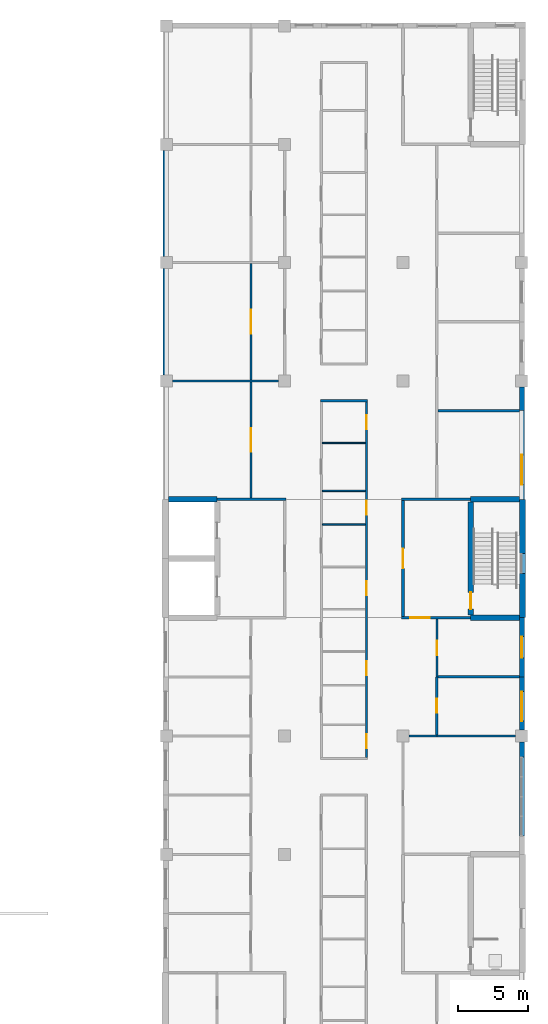
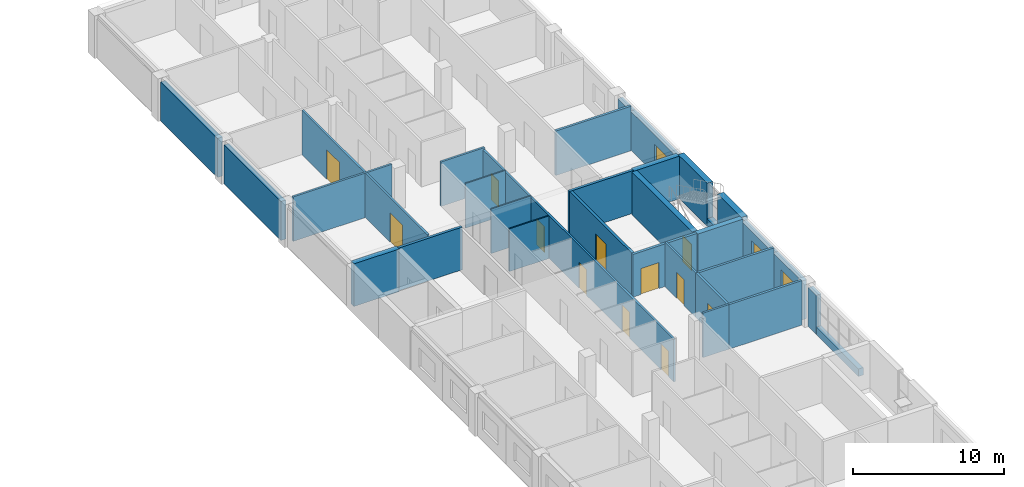
# One storey, part 76 of 94: 33 walls, 12 doors, 3 windows, 15 openings.
"""IFC4 building model written with IfcOpenShell, lengths in metres."""

from ifc_helpers import new_model, si_unit, direction, frame, frame_2d, origin, place, context, subcontext, project, spatial, rectangle, extrude, material, layer, layer_set, type_object, element, fill, save


model = new_model("IFC4")

# Units and contexts
model_context = context("Model", 3, precision=1e-05, world=origin(), true_north=direction((0.0, 1.0)))
body_context = subcontext(model_context, "Body", "Model", "MODEL_VIEW")
ifc_project = project(units=[si_unit("LENGTHUNIT", "METRE"), si_unit("AREAUNIT", "SQUARE_METRE"), si_unit("VOLUMEUNIT", "CUBIC_METRE"), si_unit("PLANEANGLEUNIT", "RADIAN"), si_unit("MASSUNIT", "GRAM", prefix="KILO")], contexts=[model_context])

# Site, building, storey
site_placement = place(None, origin())
site = spatial("IfcSite", under=ifc_project, at=site_placement, CompositionType="ELEMENT")
building_placement = place(site_placement, origin())
building = spatial("IfcBuilding", under=site, at=building_placement, Name="Yavir Park General Hospital", CompositionType="ELEMENT")
storey_placement = place(building_placement, frame((0.0, 0.0, 4.5)))
storey = spatial("IfcBuildingStorey", under=building, at=storey_placement, Name="L01", CompositionType="ELEMENT", Elevation=4.5)

# Walls
ifc_material_1 = material(Name="Double-leaf gypsum board acoustic partition on staggered studs")
ifc_layer_1 = layer(ifc_material_1, 0.175048828125)
ifc_layer_set_1 = layer_set([ifc_layer_1], Name="Double-leaf gypsum board acoustic partition on staggered studs")
wall_type_1 = type_object("IfcWallType", Name="Acoustic partition 175", PredefinedType="PARTITIONING", material=ifc_layer_set_1)
wall_1_placement = place(storey_placement, frame((162.0, 67.199951171875, 0.0), z_axis=(0.0, 0.0, 1.0), x_axis=(1.0, 0.0, 0.0)))
element("IfcWall", 1, at=wall_1_placement, inside=storey, type_object=wall_type_1, Name="AP175 L01-196", PredefinedType="PARTITIONING", context=body_context, shape_type="SweptSolid", body=[
    extrude(rectangle(XDim=5.574951171875, YDim=0.175048828125, at=frame_2d((2.78759765625, 0.0))), origin(), (0.0, 0.0, 1.0), 3.60009765625),
])
for number, where, z_axis, x_axis, name in (
    (2, (162.08740234375, 71.39990234375, 0.0), (0.0, 0.0, 1.0), (1.0, 0.0, 0.0), "AP175 L01-203"),
    (3, (162.08740234375, 90.300048828125, 0.0), (0.0, 0.0, 1.0), (1.0, 0.0, 0.0), "AP175 L01-236"),
):
    element("IfcWall", number, at=place(storey_placement, frame(where, z_axis=z_axis, x_axis=x_axis)), inside=storey, type_object=wall_type_1, Name=name, PredefinedType="PARTITIONING", context=body_context, shape_type="SweptSolid", body=[
        extrude(rectangle(XDim=5.7626953125, YDim=0.175048828125, at=frame_2d((2.88134765625, 0.0))), origin(), (0.0, 0.0, 1.0), 3.60009765625),
    ])

# Wall, opening, door
wall_2_placement = place(storey_placement, frame((162.0, 67.28759765625, 0.0), z_axis=(0.0, 0.0, 1.0), x_axis=(0.0, 1.0, 0.0)))
wall_2 = element("IfcWall", 4, at=wall_2_placement, inside=storey, type_object=wall_type_1, Name="AP175 L01-503", PredefinedType="PARTITIONING", context=body_context, shape_type="SweptSolid", body=[
    extrude(rectangle(XDim=4.1123046875, YDim=0.175048828125, at=frame_2d((2.05615234375, 0.0))), origin(), (0.0, 0.0, 1.0), 3.60009765625),
])
opening_1_placement = place(wall_2_placement, frame((1.55615234375, 0.0, 0.0)))
opening_1 = element("IfcOpeningElement", 5, at=opening_1_placement, cuts=wall_2, Name="Opening L01.D302", PredefinedType="OPENING", context=body_context, shape_type="SweptSolid", body=[
    extrude(rectangle(XDim=1.0, YDim=2.10009765625, at=frame_2d((0.5, 1.050048828125))), frame((0.0, 0.097412109375, 0.0), z_axis=(0.0, -1.0, 0.0), x_axis=(1.0, 0.0, 0.0)), (0.0, 0.0, 1.0), 0.195068359375),
])
ifc_material_2 = material(Name="Sealed solid-core acoustic door leaf, Rw 42 dB")
door_type_1 = type_object("IfcDoorType", Name="Acoustic door 1000 x 2100", OperationType="SINGLE_SWING_LEFT", PredefinedType="DOOR", material=ifc_material_2)
door_1_placement = place(opening_1_placement, origin())
door_1 = element("IfcDoor", 6, at=door_1_placement, inside=storey, type_object=door_type_1, Name="L01.D302", OperationType="SINGLE_SWING_RIGHT", OverallHeight=2.10009765625, OverallWidth=1.0, PredefinedType="DOOR", context=body_context, shape_type="SweptSolid", body=[
    extrude(rectangle(XDim=1.0, YDim=2.10009765625, at=frame_2d((0.5, 1.050048828125))), frame((0.0, 0.03515625, 0.0), z_axis=(0.0, -1.0, 0.0), x_axis=(1.0, 0.0, 0.0)), (0.0, 0.0, 1.0), 0.070068359375),
])
fill(opening_1, door_1)

ifc_material_3 = material(Name="Double gypsum board fire partition on steel studs", Category="steel")
ifc_layer_2 = layer(ifc_material_3, 0.199951171875)
ifc_layer_set_2 = layer_set([ifc_layer_2], Name="Double gypsum board fire partition on steel studs")
wall_type_2 = type_object("IfcWallType", Name="Fire-rated partition 200, EI 60", PredefinedType="PARTITIONING", material=ifc_layer_set_2)
wall_3_placement = place(storey_placement, frame((159.5, 75.60009765625, 0.0), z_axis=(0.0, 0.0, 1.0), x_axis=(1.0, 0.0, 0.0)))
wall_3 = element("IfcWall", 7, at=wall_3_placement, inside=storey, type_object=wall_type_2, Name="FP20 L01-216", PredefinedType="PARTITIONING", context=body_context, shape_type="SweptSolid", body=[
    extrude(rectangle(XDim=4.89990234375, YDim=0.199951171875, at=frame_2d((2.449951171875, 0.0))), origin(), (0.0, 0.0, 1.0), 3.449951171875),
])
opening_2_placement = place(wall_3_placement, frame((0.60009765625, 0.0, 0.0)))
opening_2 = element("IfcOpeningElement", 8, at=opening_2_placement, cuts=wall_3, Name="Opening L01.D163", PredefinedType="OPENING", context=body_context, shape_type="SweptSolid", body=[
    extrude(rectangle(XDim=1.39990234375, YDim=2.10009765625, at=frame_2d((0.699951171875, 1.050048828125))), frame((0.0, 0.10986328125, 0.0), z_axis=(0.0, -1.0, 0.0), x_axis=(1.0, 0.0, 0.0)), (0.0, 0.0, 1.0), 0.219970703125),
])
ifc_material_4 = material(Name="Steel frame, fire-resisting leaves with vision panels", Category="steel")
door_type_2 = type_object("IfcDoorType", Name="Double fire door with vision panels 1400 x 2100, EI 60", OperationType="DOUBLE_DOOR_SINGLE_SWING", PredefinedType="DOOR", material=ifc_material_4)
door_2_placement = place(opening_2_placement, origin())
door_2 = element("IfcDoor", 9, at=door_2_placement, inside=storey, type_object=door_type_2, Name="L01.D163", OperationType="SINGLE_SWING_RIGHT", OverallHeight=2.10009765625, OverallWidth=1.39990234375, PredefinedType="DOOR", context=body_context, shape_type="SweptSolid", body=[
    extrude(rectangle(XDim=1.39990234375, YDim=2.10009765625, at=frame_2d((0.699951171875, 1.050048828125))), frame((0.0, 0.030029296875, 0.0), z_axis=(0.0, -1.0, 0.0), x_axis=(1.0, 0.0, 0.0)), (0.0, 0.0, 1.0), 0.06005859375),
])
fill(opening_2, door_2)

# Walls
wall_4_placement = place(storey_placement, frame((146.39990234375, 84.0, 0.0), z_axis=(0.0, 0.0, 1.0), x_axis=(1.0, 0.0, 0.0)))
element("IfcWall", 10, at=wall_4_placement, inside=storey, type_object=wall_type_2, Name="FP20 L01-229", PredefinedType="PARTITIONING", context=body_context, shape_type="SweptSolid", body=[
    extrude(rectangle(XDim=4.900146484375, YDim=0.199951171875, at=frame_2d((2.4501953125, 0.0))), origin(), (0.0, 0.0, 1.0), 3.449951171875),
])
wall_5_placement = place(storey_placement, frame((159.5, 84.0, 0.0), z_axis=(0.0, 0.0, 1.0), x_axis=(1.0, 0.0, 0.0)))
element("IfcWall", 11, at=wall_5_placement, inside=storey, type_object=wall_type_2, Name="FP20 L01-230", PredefinedType="PARTITIONING", context=body_context, shape_type="SweptSolid", body=[
    extrude(rectangle(XDim=4.89990234375, YDim=0.199951171875, at=frame_2d((2.449951171875, 0.0))), origin(), (0.0, 0.0, 1.0), 3.449951171875),
])

# Wall, opening, door
wall_6_placement = place(storey_placement, frame((159.60009765625, 75.699951171875, 0.0), z_axis=(0.0, 0.0, 1.0), x_axis=(0.0, 1.0, 0.0)))
wall_6 = element("IfcWall", 12, at=wall_6_placement, inside=storey, type_object=wall_type_2, Name="FP20 L01-497", PredefinedType="PARTITIONING", context=body_context, shape_type="SweptSolid", body=[
    extrude(rectangle(XDim=8.199951171875, YDim=0.199951171875, at=frame_2d((4.10009765625, 0.0))), origin(), (0.0, 0.0, 1.0), 3.449951171875),
])
opening_3_placement = place(wall_6_placement, frame((3.39990234375, 0.0, 0.0)))
opening_3 = element("IfcOpeningElement", 13, at=opening_3_placement, cuts=wall_6, Name="Opening L01.D296", PredefinedType="OPENING", context=body_context, shape_type="SweptSolid", body=[
    extrude(rectangle(XDim=1.39990234375, YDim=2.10009765625, at=frame_2d((0.699951171875, 1.050048828125))), frame((0.0, 0.10986328125, 0.0), z_axis=(0.0, -1.0, 0.0), x_axis=(1.0, 0.0, 0.0)), (0.0, 0.0, 1.0), 0.219970703125),
])
door_3_placement = place(opening_3_placement, origin())
door_3 = element("IfcDoor", 14, at=door_3_placement, inside=storey, type_object=door_type_2, Name="L01.D296", OperationType="SINGLE_SWING_LEFT", OverallHeight=2.10009765625, OverallWidth=1.39990234375, PredefinedType="DOOR", context=body_context, shape_type="SweptSolid", body=[
    extrude(rectangle(XDim=1.39990234375, YDim=2.10009765625, at=frame_2d((0.699951171875, 1.050048828125))), frame((0.0, 0.030029296875, 0.0), z_axis=(0.0, -1.0, 0.0), x_axis=(1.0, 0.0, 0.0)), (0.0, 0.0, 1.0), 0.06005859375),
])
fill(opening_3, door_3)

# Walls
ifc_material_5 = material(Name="Gypsum board partition on steel studs", Category="steel")
ifc_layer_3 = layer(ifc_material_5, 0.10009765625)
ifc_layer_set_3 = layer_set([ifc_layer_3], Name="Gypsum board partition on steel studs")
wall_type_3 = type_object("IfcWallType", Name="Gypsum board partition 100", PredefinedType="PARTITIONING", material=ifc_layer_set_3)
wall_7_placement = place(storey_placement, frame((153.875, 82.199951171875, 0.0), z_axis=(0.0, 0.0, 1.0), x_axis=(1.0, 0.0, 0.0)))
element("IfcWall", 15, at=wall_7_placement, inside=storey, type_object=wall_type_3, Name="P10 L01-223", PredefinedType="PARTITIONING", context=body_context, shape_type="SweptSolid", body=[
    extrude(rectangle(XDim=3.050048828125, YDim=0.10009765625, at=frame_2d((1.52490234375, 0.0))), origin(), (0.0, 0.0, 1.0), 3.449951171875),
])
for number, where, z_axis, x_axis, name in (
    (16, (153.875, 84.60009765625, 0.0), (0.0, 0.0, 1.0), (1.0, 0.0, 0.0), "P10 L01-232"),
    (17, (153.875, 88.0, 0.0), (0.0, 0.0, 1.0), (1.0, 0.0, 0.0), "P10 L01-234"),
):
    element("IfcWall", number, at=place(storey_placement, frame(where, z_axis=z_axis, x_axis=x_axis)), inside=storey, type_object=wall_type_3, Name=name, PredefinedType="PARTITIONING", context=body_context, shape_type="SweptSolid", body=[
        extrude(rectangle(XDim=3.050048828125, YDim=0.10009765625, at=frame_2d((1.52490234375, 0.0))), origin(), (0.0, 0.0, 1.0), 3.60009765625),
    ])
ifc_material_6 = material(Name="Gypsum board partition on steel studs", Category="steel")
ifc_layer_4 = layer(ifc_material_6, 0.14990234375)
ifc_layer_set_4 = layer_set([ifc_layer_4], Name="Gypsum board partition on steel studs")
wall_type_4 = type_object("IfcWallType", Name="Gypsum board partition 150", PredefinedType="PARTITIONING", material=ifc_layer_set_4)
wall_8_placement = place(storey_placement, frame((160.02490234375, 67.199951171875, 0.0), z_axis=(0.0, 0.0, 1.0), x_axis=(1.0, 0.0, 0.0)))
element("IfcWall", 18, at=wall_8_placement, inside=storey, type_object=wall_type_4, Name="P15 L01-195", PredefinedType="PARTITIONING", context=body_context, shape_type="SweptSolid", body=[
    extrude(rectangle(XDim=1.97509765625, YDim=0.14990234375, at=frame_2d((0.987548828125, 0.0))), origin(), (0.0, 0.0, 1.0), 3.60009765625),
])
wall_9_placement = place(storey_placement, frame((153.72509765625, 91.0, 0.0), z_axis=(0.0, 0.0, 1.0), x_axis=(1.0, 0.0, 0.0)))
element("IfcWall", 19, at=wall_9_placement, inside=storey, type_object=wall_type_4, Name="P15 L01-237", PredefinedType="PARTITIONING", context=body_context, shape_type="SweptSolid", body=[
    extrude(rectangle(XDim=3.349853515625, YDim=0.14990234375, at=frame_2d((1.6748046875, 0.0))), origin(), (0.0, 0.0, 1.0), 3.60009765625),
])
wall_10_placement = place(storey_placement, frame((143.22509765625, 92.39990234375, 0.0), z_axis=(0.0, 0.0, 1.0), x_axis=(1.0, 0.0, 0.0)))
element("IfcWall", 20, at=wall_10_placement, inside=storey, type_object=wall_type_4, Name="P15 L01-243", PredefinedType="PARTITIONING", context=body_context, shape_type="SweptSolid", body=[
    extrude(rectangle(XDim=7.5498046875, YDim=0.14990234375, at=frame_2d((3.77490234375, 0.0))), origin(), (0.0, 0.0, 1.0), 3.60009765625),
])

# Wall, opening, door
wall_11_placement = place(storey_placement, frame((148.800048828125, 84.10009765625, 0.0), z_axis=(0.0, 0.0, 1.0), x_axis=(0.0, 1.0, 0.0)))
wall_11 = element("IfcWall", 21, at=wall_11_placement, inside=storey, type_object=wall_type_4, Name="P15 L01-465", PredefinedType="PARTITIONING", context=body_context, shape_type="SweptSolid", body=[
    extrude(rectangle(XDim=8.224853515625, YDim=0.14990234375, at=frame_2d((4.1123046875, 0.0))), origin(), (0.0, 0.0, 1.0), 3.60009765625),
])
opening_4_placement = place(wall_11_placement, frame((3.262451171875, 0.0, 0.0)))
opening_4 = element("IfcOpeningElement", 22, at=opening_4_placement, cuts=wall_11, Name="Opening L01.D258", PredefinedType="OPENING", context=body_context, shape_type="SweptSolid", body=[
    extrude(rectangle(XDim=1.699951171875, YDim=2.39990234375, at=frame_2d((0.85009765625, 1.199951171875))), frame((0.0, 0.0849609375, 0.0), z_axis=(0.0, -1.0, 0.0), x_axis=(1.0, 0.0, 0.0)), (0.0, 0.0, 1.0), 0.169921875),
])
ifc_material_7 = material(Name="Hollow metal frame, solid-core timber leaf", Category="wood")
door_type_3 = type_object("IfcDoorType", Name="Double swing door 1700 x 2400", OperationType="DOUBLE_DOOR_SINGLE_SWING", PredefinedType="DOOR", material=ifc_material_7)
door_4_placement = place(opening_4_placement, origin())
door_4 = element("IfcDoor", 23, at=door_4_placement, inside=storey, type_object=door_type_3, Name="L01.D258", OperationType="SINGLE_SWING_RIGHT", OverallHeight=2.39990234375, OverallWidth=1.699951171875, PredefinedType="DOOR", context=body_context, shape_type="SweptSolid", body=[
    extrude(rectangle(XDim=1.699951171875, YDim=2.39990234375, at=frame_2d((0.85009765625, 1.199951171875))), frame((0.0, 0.02490234375, 0.0), z_axis=(0.0, -1.0, 0.0), x_axis=(1.0, 0.0, 0.0)), (0.0, 0.0, 1.0), 0.050048828125),
])
fill(opening_4, door_4)

wall_12_placement = place(storey_placement, frame((148.800048828125, 92.47509765625, 0.0), z_axis=(0.0, 0.0, 1.0), x_axis=(0.0, 1.0, 0.0)))
wall_12 = element("IfcWall", 24, at=wall_12_placement, inside=storey, type_object=wall_type_4, Name="P15 L01-466", PredefinedType="PARTITIONING", context=body_context, shape_type="SweptSolid", body=[
    extrude(rectangle(XDim=8.25, YDim=0.14990234375, at=frame_2d((4.125, 0.0))), origin(), (0.0, 0.0, 1.0), 3.60009765625),
])
opening_5_placement = place(wall_12_placement, frame((3.27490234375, 0.0, 0.0)))
opening_5 = element("IfcOpeningElement", 25, at=opening_5_placement, cuts=wall_12, Name="Opening L01.D259", PredefinedType="OPENING", context=body_context, shape_type="SweptSolid", body=[
    extrude(rectangle(XDim=1.699951171875, YDim=2.39990234375, at=frame_2d((0.85009765625, 1.199951171875))), frame((0.0, 0.0849609375, 0.0), z_axis=(0.0, -1.0, 0.0), x_axis=(1.0, 0.0, 0.0)), (0.0, 0.0, 1.0), 0.169921875),
])
door_5_placement = place(opening_5_placement, origin())
door_5 = element("IfcDoor", 26, at=door_5_placement, inside=storey, type_object=door_type_3, Name="L01.D259", OperationType="SINGLE_SWING_LEFT", OverallHeight=2.39990234375, OverallWidth=1.699951171875, PredefinedType="DOOR", context=body_context, shape_type="SweptSolid", body=[
    extrude(rectangle(XDim=1.699951171875, YDim=2.39990234375, at=frame_2d((0.85009765625, 1.199951171875))), frame((0.0, 0.02490234375, 0.0), z_axis=(0.0, -1.0, 0.0), x_axis=(1.0, 0.0, 0.0)), (0.0, 0.0, 1.0), 0.050048828125),
])
fill(opening_5, door_5)

# Wall, openings, doors
wall_13_placement = place(storey_placement, frame((157.0, 65.675048828125, 0.0), z_axis=(0.0, 0.0, 1.0), x_axis=(0.0, 1.0, 0.0)))
wall_13 = element("IfcWall", 27, at=wall_13_placement, inside=storey, type_object=wall_type_4, Name="P15 L01-489", PredefinedType="PARTITIONING", context=body_context, shape_type="SweptSolid", body=[
    extrude(rectangle(XDim=25.25, YDim=0.14990234375, at=frame_2d((12.625, 0.0))), origin(), (0.0, 0.0, 1.0), 3.449951171875),
])
opening_6_placement = place(wall_13_placement, frame((0.66259765625, 0.0, 0.0)))
opening_6 = element("IfcOpeningElement", 28, at=opening_6_placement, cuts=wall_13, Name="Opening L01.D287", PredefinedType="OPENING", context=body_context, shape_type="SweptSolid", body=[
    extrude(rectangle(XDim=1.0, YDim=2.10009765625, at=frame_2d((0.5, 1.050048828125))), frame((0.0, 0.0849609375, 0.0), z_axis=(0.0, -1.0, 0.0), x_axis=(1.0, 0.0, 0.0)), (0.0, 0.0, 1.0), 0.169921875),
])
opening_7_placement = place(wall_13_placement, frame((5.824951171875, 0.0, 0.0)))
opening_7 = element("IfcOpeningElement", 29, at=opening_7_placement, cuts=wall_13, Name="Opening L01.D288", PredefinedType="OPENING", context=body_context, shape_type="SweptSolid", body=[
    extrude(rectangle(XDim=1.0, YDim=2.10009765625, at=frame_2d((0.5, 1.050048828125))), frame((0.0, 0.0849609375, 0.0), z_axis=(0.0, -1.0, 0.0), x_axis=(1.0, 0.0, 0.0)), (0.0, 0.0, 1.0), 0.169921875),
])
opening_8_placement = place(wall_13_placement, frame((11.52490234375, 0.0, 0.0)))
opening_8 = element("IfcOpeningElement", 30, at=opening_8_placement, cuts=wall_13, Name="Opening L01.D289", PredefinedType="OPENING", context=body_context, shape_type="SweptSolid", body=[
    extrude(rectangle(XDim=1.0, YDim=2.10009765625, at=frame_2d((0.5, 1.050048828125))), frame((0.0, 0.0849609375, 0.0), z_axis=(0.0, -1.0, 0.0), x_axis=(1.0, 0.0, 0.0)), (0.0, 0.0, 1.0), 0.169921875),
])
opening_9_placement = place(wall_13_placement, frame((17.22509765625, 0.0, 0.0)))
opening_9 = element("IfcOpeningElement", 31, at=opening_9_placement, cuts=wall_13, Name="Opening L01.D290", PredefinedType="OPENING", context=body_context, shape_type="SweptSolid", body=[
    extrude(rectangle(XDim=1.0, YDim=2.10009765625, at=frame_2d((0.5, 1.050048828125))), frame((0.0, 0.0849609375, 0.0), z_axis=(0.0, -1.0, 0.0), x_axis=(1.0, 0.0, 0.0)), (0.0, 0.0, 1.0), 0.169921875),
])
opening_10_placement = place(wall_13_placement, frame((23.28759765625, 0.0, 0.0)))
opening_10 = element("IfcOpeningElement", 32, at=opening_10_placement, cuts=wall_13, Name="Opening L01.D291", PredefinedType="OPENING", context=body_context, shape_type="SweptSolid", body=[
    extrude(rectangle(XDim=1.0, YDim=2.10009765625, at=frame_2d((0.5, 1.050048828125))), frame((0.0, 0.0849609375, 0.0), z_axis=(0.0, -1.0, 0.0), x_axis=(1.0, 0.0, 0.0)), (0.0, 0.0, 1.0), 0.169921875),
])
ifc_material_8 = material(Name="Hollow metal frame, solid-core timber leaf", Category="wood")
door_type_4 = type_object("IfcDoorType", Name="Single swing door 1000 x 2100", OperationType="SINGLE_SWING_LEFT", PredefinedType="DOOR", material=ifc_material_8)
door_6_placement = place(opening_6_placement, origin())
door_6 = element("IfcDoor", 33, at=door_6_placement, inside=storey, type_object=door_type_4, Name="L01.D287", OperationType="SINGLE_SWING_LEFT", OverallHeight=2.10009765625, OverallWidth=1.0, PredefinedType="DOOR", context=body_context, shape_type="SweptSolid", body=[
    extrude(rectangle(XDim=1.0, YDim=2.10009765625, at=frame_2d((0.5, 1.050048828125))), frame((0.0, 0.02490234375, 0.0), z_axis=(0.0, -1.0, 0.0), x_axis=(1.0, 0.0, 0.0)), (0.0, 0.0, 1.0), 0.050048828125),
])
fill(opening_6, door_6)
door_7_placement = place(opening_7_placement, origin())
door_7 = element("IfcDoor", 34, at=door_7_placement, inside=storey, type_object=door_type_4, Name="L01.D288", OperationType="SINGLE_SWING_RIGHT", OverallHeight=2.10009765625, OverallWidth=1.0, PredefinedType="DOOR", context=body_context, shape_type="SweptSolid", body=[
    extrude(rectangle(XDim=1.0, YDim=2.10009765625, at=frame_2d((0.5, 1.050048828125))), frame((0.0, 0.02490234375, 0.0), z_axis=(0.0, -1.0, 0.0), x_axis=(1.0, 0.0, 0.0)), (0.0, 0.0, 1.0), 0.050048828125),
])
fill(opening_7, door_7)
door_8_placement = place(opening_8_placement, origin())
door_8 = element("IfcDoor", 35, at=door_8_placement, inside=storey, type_object=door_type_4, Name="L01.D289", OperationType="SINGLE_SWING_RIGHT", OverallHeight=2.10009765625, OverallWidth=1.0, PredefinedType="DOOR", context=body_context, shape_type="SweptSolid", body=[
    extrude(rectangle(XDim=1.0, YDim=2.10009765625, at=frame_2d((0.5, 1.050048828125))), frame((0.0, 0.02490234375, 0.0), z_axis=(0.0, -1.0, 0.0), x_axis=(1.0, 0.0, 0.0)), (0.0, 0.0, 1.0), 0.050048828125),
])
fill(opening_8, door_8)
door_9_placement = place(opening_9_placement, origin())
door_9 = element("IfcDoor", 36, at=door_9_placement, inside=storey, type_object=door_type_4, Name="L01.D290", OperationType="SINGLE_SWING_RIGHT", OverallHeight=2.10009765625, OverallWidth=1.0, PredefinedType="DOOR", context=body_context, shape_type="SweptSolid", body=[
    extrude(rectangle(XDim=1.0, YDim=2.10009765625, at=frame_2d((0.5, 1.050048828125))), frame((0.0, 0.02490234375, 0.0), z_axis=(0.0, -1.0, 0.0), x_axis=(1.0, 0.0, 0.0)), (0.0, 0.0, 1.0), 0.050048828125),
])
fill(opening_9, door_9)
door_10_placement = place(opening_10_placement, origin())
door_10 = element("IfcDoor", 37, at=door_10_placement, inside=storey, type_object=door_type_4, Name="L01.D291", OperationType="SINGLE_SWING_LEFT", OverallHeight=2.10009765625, OverallWidth=1.0, PredefinedType="DOOR", context=body_context, shape_type="SweptSolid", body=[
    extrude(rectangle(XDim=1.0, YDim=2.10009765625, at=frame_2d((0.5, 1.050048828125))), frame((0.0, 0.02490234375, 0.0), z_axis=(0.0, -1.0, 0.0), x_axis=(1.0, 0.0, 0.0)), (0.0, 0.0, 1.0), 0.050048828125),
])
fill(opening_10, door_10)

# Wall, opening, door
wall_14_placement = place(storey_placement, frame((162.0, 71.39990234375, 0.0), z_axis=(0.0, 0.0, 1.0), x_axis=(0.0, 1.0, 0.0)))
wall_14 = element("IfcWall", 38, at=wall_14_placement, inside=storey, type_object=wall_type_4, Name="P15 L01-504", PredefinedType="PARTITIONING", context=body_context, shape_type="SweptSolid", body=[
    extrude(rectangle(XDim=4.10009765625, YDim=0.14990234375, at=frame_2d((2.050048828125, 0.0))), origin(), (0.0, 0.0, 1.0), 3.60009765625),
])
opening_11_placement = place(wall_14_placement, frame((1.550048828125, 0.0, 0.0)))
opening_11 = element("IfcOpeningElement", 39, at=opening_11_placement, cuts=wall_14, Name="Opening L01.D303", PredefinedType="OPENING", context=body_context, shape_type="SweptSolid", body=[
    extrude(rectangle(XDim=1.0, YDim=2.10009765625, at=frame_2d((0.5, 1.050048828125))), frame((0.0, 0.0849609375, 0.0), z_axis=(0.0, -1.0, 0.0), x_axis=(1.0, 0.0, 0.0)), (0.0, 0.0, 1.0), 0.169921875),
])
door_11_placement = place(opening_11_placement, origin())
door_11 = element("IfcDoor", 40, at=door_11_placement, inside=storey, type_object=door_type_4, Name="L01.D303", OperationType="SINGLE_SWING_LEFT", OverallHeight=2.10009765625, OverallWidth=1.0, PredefinedType="DOOR", context=body_context, shape_type="SweptSolid", body=[
    extrude(rectangle(XDim=1.0, YDim=2.10009765625, at=frame_2d((0.5, 1.050048828125))), frame((0.0, 0.02490234375, 0.0), z_axis=(0.0, -1.0, 0.0), x_axis=(1.0, 0.0, 0.0)), (0.0, 0.0, 1.0), 0.050048828125),
])
fill(opening_11, door_11)

# Walls
ifc_material_9 = material(Name="Autoclaved aerated block, 150 mm mineral wool and sand-coloured mineral render")
ifc_layer_5 = layer(ifc_material_9, 0.375)
ifc_layer_set_5 = layer_set([ifc_layer_5], Name="Autoclaved aerated block, 150 mm mineral wool and sand-coloured mineral render")
wall_type_5 = type_object("IfcWallType", Name="Mineral render clinical wall 375, E 30", PredefinedType="SOLIDWALL", material=ifc_layer_set_5)
wall_15_placement = place(storey_placement, frame((142.762451171875, 92.824951171875, 0.0), z_axis=(0.0, 0.0, 1.0), x_axis=(0.0, 1.0, 0.0)))
element("IfcWall", 41, at=wall_15_placement, inside=storey, type_object=wall_type_5, Name="XW1 L01-205", PredefinedType="SOLIDWALL", context=body_context, shape_type="SweptSolid", body=[
    extrude(rectangle(XDim=7.550048828125, YDim=0.375, at=frame_2d((3.77490234375, 0.0))), origin(), (0.0, 0.0, 1.0), 3.14990234375),
])
wall_16_placement = place(storey_placement, frame((142.762451171875, 101.22509765625, 0.0), z_axis=(0.0, 0.0, 1.0), x_axis=(0.0, 1.0, 0.0)))
element("IfcWall", 42, at=wall_16_placement, inside=storey, type_object=wall_type_5, Name="XW1 L01-206", PredefinedType="SOLIDWALL", context=body_context, shape_type="SweptSolid", body=[
    extrude(rectangle(XDim=7.5498046875, YDim=0.375, at=frame_2d((3.77490234375, 0.0))), origin(), (0.0, 0.0, 1.0), 3.14990234375),
])
wall_17_placement = place(storey_placement, frame((168.03759765625, 65.699951171875, 0.0), z_axis=(0.0, 0.0, 1.0), x_axis=(0.0, 1.0, 0.0)))
element("IfcWall", 43, at=wall_17_placement, inside=storey, type_object=wall_type_5, Name="XW1 L01-224", PredefinedType="SOLIDWALL", context=body_context, shape_type="SweptSolid", body=[
    extrude(rectangle(XDim=1.074951171875, YDim=0.375, at=frame_2d((0.53759765625, 0.0))), origin(), (0.0, 0.0, 1.0), 3.14990234375),
])
wall_18_placement = place(storey_placement, frame((168.03759765625, 60.10009765625, 0.0), z_axis=(0.0, 0.0, 1.0), x_axis=(0.0, 1.0, 0.0)))
element("IfcWall", 44, at=wall_18_placement, inside=storey, type_object=wall_type_5, Name="XW1 L01-225", PredefinedType="SOLIDWALL", context=body_context, shape_type="SweptSolid", body=[
    extrude(rectangle(XDim=5.599853515625, YDim=0.375, at=frame_2d((2.7998046875, 0.0))), origin(), (0.0, 0.0, 1.0), 0.60009765625),
])

# Wall, opening, window
wall_19_placement = place(storey_placement, frame((168.03759765625, 67.625, 0.0), z_axis=(0.0, 0.0, 1.0), x_axis=(0.0, 1.0, 0.0)))
wall_19 = element("IfcWall", 45, at=wall_19_placement, inside=storey, type_object=wall_type_5, Name="XW1 L01-226", PredefinedType="SOLIDWALL", context=body_context, shape_type="SweptSolid", body=[
    extrude(rectangle(XDim=3.77490234375, YDim=0.375, at=frame_2d((1.887451171875, 0.0))), origin(), (0.0, 0.0, 1.0), 3.14990234375),
])
opening_12_placement = place(wall_19_placement, frame((0.625, 0.0, 0.89990234375)))
opening_12 = element("IfcOpeningElement", 46, at=opening_12_placement, cuts=wall_19, Name="Opening WA", PredefinedType="OPENING", context=body_context, shape_type="SweptSolid", body=[
    extrude(rectangle(XDim=2.10009765625, YDim=1.5, at=frame_2d((1.050048828125, 0.75))), frame((0.0, 0.197509765625, 0.0), z_axis=(0.0, -1.0, 0.0), x_axis=(1.0, 0.0, 0.0)), (0.0, 0.0, 1.0), 0.39501953125),
])
ifc_material_10 = material(Name="Aluminium frame, double glazed unit", Category="aluminium")
window_type_1 = type_object("IfcWindowType", Name="Ward window 2100 x 1500", PartitioningType="DOUBLE_PANEL_VERTICAL", PredefinedType="WINDOW", material=ifc_material_10)
window_1_placement = place(opening_12_placement, origin())
window_1 = element("IfcWindow", 47, at=window_1_placement, inside=storey, type_object=window_type_1, Name="WA L01-119", OverallHeight=1.5, OverallWidth=2.10009765625, PartitioningType="DOUBLE_PANEL_VERTICAL", PredefinedType="WINDOW", context=body_context, shape_type="SweptSolid", body=[
    extrude(rectangle(XDim=2.10009765625, YDim=1.5, at=frame_2d((1.050048828125, 0.75))), frame((0.0, 0.030029296875, 0.0), z_axis=(0.0, -1.0, 0.0), x_axis=(1.0, 0.0, 0.0)), (0.0, 0.0, 1.0), 0.06005859375),
])
fill(opening_12, window_1)

wall_20_placement = place(storey_placement, frame((168.03759765625, 71.39990234375, 0.0), z_axis=(0.0, 0.0, 1.0), x_axis=(0.0, 1.0, 0.0)))
wall_20 = element("IfcWall", 48, at=wall_20_placement, inside=storey, type_object=wall_type_5, Name="XW1 L01-227", PredefinedType="SOLIDWALL", context=body_context, shape_type="SweptSolid", body=[
    extrude(rectangle(XDim=4.2001953125, YDim=0.375, at=frame_2d((2.10009765625, 0.0))), origin(), (0.0, 0.0, 1.0), 3.14990234375),
])
opening_13_placement = place(wall_20_placement, frame((1.35009765625, 0.0, 0.89990234375)))
opening_13 = element("IfcOpeningElement", 49, at=opening_13_placement, cuts=wall_20, Name="Opening WC", PredefinedType="OPENING", context=body_context, shape_type="SweptSolid", body=[
    extrude(rectangle(XDim=1.5, YDim=1.5, at=frame_2d((0.75, 0.75))), frame((0.0, 0.197509765625, 0.0), z_axis=(0.0, -1.0, 0.0), x_axis=(1.0, 0.0, 0.0)), (0.0, 0.0, 1.0), 0.39501953125),
])
ifc_material_11 = material(Name="Aluminium frame, double glazed unit", Category="aluminium")
window_type_2 = type_object("IfcWindowType", Name="Consulting room window 1500 x 1500", PartitioningType="SINGLE_PANEL", PredefinedType="WINDOW", material=ifc_material_11)
window_2_placement = place(opening_13_placement, origin())
window_2 = element("IfcWindow", 50, at=window_2_placement, inside=storey, type_object=window_type_2, Name="WC L01-120", OverallHeight=1.5, OverallWidth=1.5, PartitioningType="SINGLE_PANEL", PredefinedType="WINDOW", context=body_context, shape_type="SweptSolid", body=[
    extrude(rectangle(XDim=1.5, YDim=1.5, at=frame_2d((0.75, 0.75))), frame((0.0, 0.030029296875, 0.0), z_axis=(0.0, -1.0, 0.0), x_axis=(1.0, 0.0, 0.0)), (0.0, 0.0, 1.0), 0.06005859375),
])
fill(opening_13, window_2)

wall_21_placement = place(storey_placement, frame((168.03759765625, 84.0, 0.0), z_axis=(0.0, 0.0, 1.0), x_axis=(0.0, 1.0, 0.0)))
wall_21 = element("IfcWall", 51, at=wall_21_placement, inside=storey, type_object=wall_type_5, Name="XW1 L01-231", PredefinedType="SOLIDWALL", context=body_context, shape_type="SweptSolid", body=[
    extrude(rectangle(XDim=6.300048828125, YDim=0.375, at=frame_2d((3.14990234375, 0.0))), origin(), (0.0, 0.0, 1.0), 3.14990234375),
])
opening_14_placement = place(wall_21_placement, frame((1.050048828125, 0.0, 0.89990234375)))
opening_14 = element("IfcOpeningElement", 52, at=opening_14_placement, cuts=wall_21, Name="Opening WA", PredefinedType="OPENING", context=body_context, shape_type="SweptSolid", body=[
    extrude(rectangle(XDim=2.10009765625, YDim=1.5, at=frame_2d((1.050048828125, 0.75))), frame((0.0, 0.197509765625, 0.0), z_axis=(0.0, -1.0, 0.0), x_axis=(1.0, 0.0, 0.0)), (0.0, 0.0, 1.0), 0.39501953125),
])
window_3_placement = place(opening_14_placement, origin())
window_3 = element("IfcWindow", 53, at=window_3_placement, inside=storey, type_object=window_type_1, Name="WA L01-121", OverallHeight=1.5, OverallWidth=2.10009765625, PartitioningType="DOUBLE_PANEL_VERTICAL", PredefinedType="WINDOW", context=body_context, shape_type="SweptSolid", body=[
    extrude(rectangle(XDim=2.10009765625, YDim=1.5, at=frame_2d((1.050048828125, 0.75))), frame((0.0, 0.030029296875, 0.0), z_axis=(0.0, -1.0, 0.0), x_axis=(1.0, 0.0, 0.0)), (0.0, 0.0, 1.0), 0.06005859375),
])
fill(opening_14, window_3)

# Walls
wall_22_placement = place(storey_placement, frame((168.03759765625, 90.300048828125, 0.0), z_axis=(0.0, 0.0, 1.0), x_axis=(0.0, 1.0, 0.0)))
element("IfcWall", 54, at=wall_22_placement, inside=storey, type_object=wall_type_5, Name="XW1 L01-232", PredefinedType="SOLIDWALL", context=body_context, shape_type="SweptSolid", body=[
    extrude(rectangle(XDim=1.675048828125, YDim=0.375, at=frame_2d((0.83740234375, 0.0))), origin(), (0.0, 0.0, 1.0), 3.14990234375),
])
ifc_material_12 = material(Name="Concrete C35/45", Category="concrete")
ifc_layer_6 = layer(ifc_material_12, 0.39990234375)
ifc_layer_set_6 = layer_set([ifc_layer_6], Name="Concrete C35/45")
wall_type_6 = type_object("IfcWallType", Name="Reinforced concrete core wall 400, REI 150", PredefinedType="SHEAR", material=ifc_layer_set_6)
wall_23_placement = place(storey_placement, frame((164.39990234375, 75.60009765625, 0.0), z_axis=(0.0, 0.0, 1.0), x_axis=(1.0, 0.0, 0.0)))
element("IfcWall", 55, at=wall_23_placement, inside=storey, type_object=wall_type_6, Name="CW40 L01-217", PredefinedType="SHEAR", context=body_context, shape_type="SweptSolid", body=[
    extrude(rectangle(XDim=3.4501953125, YDim=0.39990234375, at=frame_2d((1.72509765625, 0.0))), origin(), (0.0, 0.0, 1.0), 3.449951171875),
])
wall_24_placement = place(storey_placement, frame((142.949951171875, 84.0, 0.0), z_axis=(0.0, 0.0, 1.0), x_axis=(1.0, 0.0, 0.0)))
element("IfcWall", 56, at=wall_24_placement, inside=storey, type_object=wall_type_6, Name="CW40 L01-228", PredefinedType="SHEAR", context=body_context, shape_type="SweptSolid", body=[
    extrude(rectangle(XDim=3.449951171875, YDim=0.39990234375, at=frame_2d((1.72509765625, 0.0))), origin(), (0.0, 0.0, 1.0), 3.449951171875),
])
wall_25_placement = place(storey_placement, frame((164.39990234375, 84.0, 0.0), z_axis=(0.0, 0.0, 1.0), x_axis=(1.0, 0.0, 0.0)))
element("IfcWall", 57, at=wall_25_placement, inside=storey, type_object=wall_type_6, Name="CW40 L01-231", PredefinedType="SHEAR", context=body_context, shape_type="SweptSolid", body=[
    extrude(rectangle(XDim=3.4501953125, YDim=0.39990234375, at=frame_2d((1.72509765625, 0.0))), origin(), (0.0, 0.0, 1.0), 3.449951171875),
])

# Wall, opening, door
wall_26_placement = place(storey_placement, frame((164.39990234375, 75.800048828125, 0.0), z_axis=(0.0, 0.0, 1.0), x_axis=(0.0, 1.0, 0.0)))
wall_26 = element("IfcWall", 58, at=wall_26_placement, inside=storey, type_object=wall_type_6, Name="CW40 L01-508", PredefinedType="SHEAR", context=body_context, shape_type="SweptSolid", body=[
    extrude(rectangle(XDim=8.0, YDim=0.39990234375, at=frame_2d((4.0, 0.0))), origin(), (0.0, 0.0, 1.0), 3.449951171875),
])
opening_15_placement = place(wall_26_placement, frame((0.39990234375, 0.0, 0.0)))
opening_15 = element("IfcOpeningElement", 59, at=opening_15_placement, cuts=wall_26, Name="Opening L01.D310", PredefinedType="OPENING", context=body_context, shape_type="SweptSolid", body=[
    extrude(rectangle(XDim=1.199951171875, YDim=2.10009765625, at=frame_2d((0.60009765625, 1.050048828125))), frame((0.0, 0.2099609375, 0.0), z_axis=(0.0, -1.0, 0.0), x_axis=(1.0, 0.0, 0.0)), (0.0, 0.0, 1.0), 0.419921875),
])
ifc_material_13 = material(Name="Steel frame, fire-resisting timber leaf", Category="steel")
door_type_5 = type_object("IfcDoorType", Name="Fire door 1200 x 2100, EI 60", OperationType="SINGLE_SWING_LEFT", PredefinedType="DOOR", material=ifc_material_13)
door_12_placement = place(opening_15_placement, origin())
door_12 = element("IfcDoor", 60, at=door_12_placement, inside=storey, type_object=door_type_5, Name="L01.D310", OperationType="SINGLE_SWING_LEFT", OverallHeight=2.10009765625, OverallWidth=1.199951171875, PredefinedType="DOOR", context=body_context, shape_type="SweptSolid", body=[
    extrude(rectangle(XDim=1.199951171875, YDim=2.10009765625, at=frame_2d((0.60009765625, 1.050048828125))), frame((0.0, 0.02490234375, 0.0), z_axis=(0.0, -1.0, 0.0), x_axis=(1.0, 0.0, 0.0)), (0.0, 0.0, 1.0), 0.050048828125),
])
fill(opening_15, door_12)

# Walls
ifc_material_14 = material(Name="Concrete C30/37 precast panel with 150 mm mineral wool insulation", Category="concrete")
ifc_layer_7 = layer(ifc_material_14, 0.449951171875)
ifc_layer_set_7 = layer_set([ifc_layer_7], Name="Concrete C30/37 precast panel with 150 mm mineral wool insulation")
wall_type_7 = type_object("IfcWallType", Name="Stair enclosure wall 450, REI 150", PredefinedType="SOLIDWALL", material=ifc_layer_set_7)
wall_27_placement = place(storey_placement, frame((168.074951171875, 75.60009765625, 0.0), z_axis=(0.0, 0.0, 1.0), x_axis=(0.0, 1.0, 0.0)))
element("IfcWall", 61, at=wall_27_placement, inside=storey, type_object=wall_type_7, Name="XW6 L01-228", PredefinedType="SOLIDWALL", context=body_context, shape_type="SweptSolid", body=[
    extrude(rectangle(XDim=3.14990234375, YDim=0.449951171875, at=frame_2d((1.574951171875, 0.0))), origin(), (0.0, 0.0, 1.0), 3.449951171875),
])
wall_28_placement = place(storey_placement, frame((168.074951171875, 80.14990234375, 0.0), z_axis=(0.0, 0.0, 1.0), x_axis=(0.0, 1.0, 0.0)))
element("IfcWall", 62, at=wall_28_placement, inside=storey, type_object=wall_type_7, Name="XW6 L01-229", PredefinedType="SOLIDWALL", context=body_context, shape_type="SweptSolid", body=[
    extrude(rectangle(XDim=3.85009765625, YDim=0.449951171875, at=frame_2d((1.925048828125, 0.0))), origin(), (0.0, 0.0, 1.0), 3.449951171875),
])
wall_29_placement = place(storey_placement, frame((168.074951171875, 78.75, 0.0), z_axis=(0.0, 0.0, 1.0), x_axis=(0.0, 1.0, 0.0)))
element("IfcWall", 63, at=wall_29_placement, inside=storey, type_object=wall_type_7, Name="XW6 L01-230", PredefinedType="SOLIDWALL", context=body_context, shape_type="SweptSolid", body=[
    extrude(rectangle(XDim=1.39990234375, YDim=0.449951171875, at=frame_2d((0.699951171875, 0.0))), origin(), (0.0, 0.0, 1.0), 0.60009765625),
])

save(model, "model.ifc")
